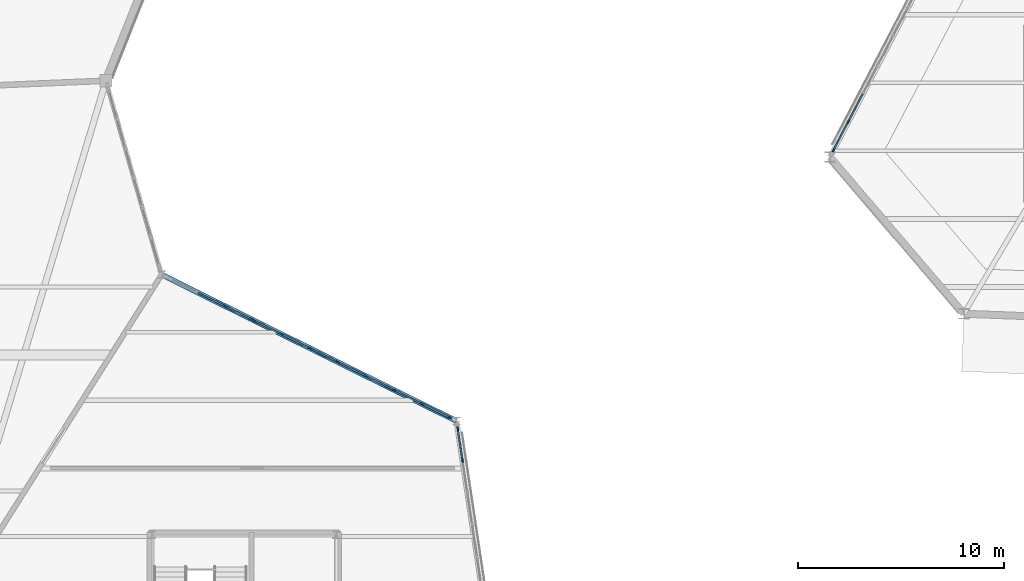
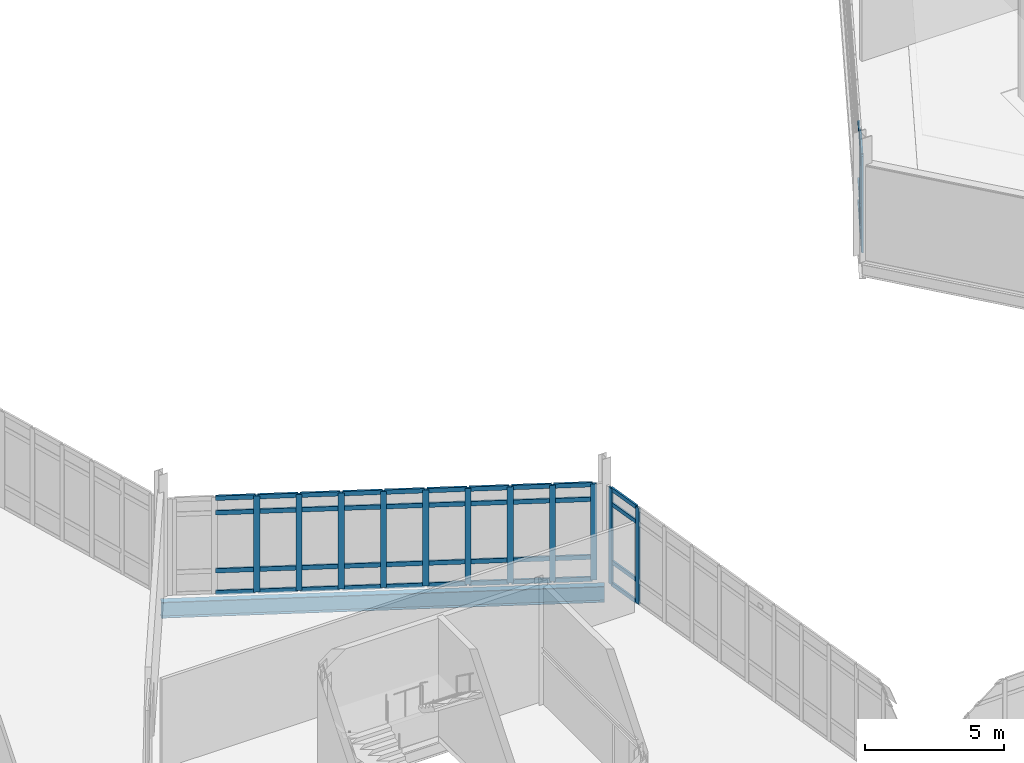
# One storey, part 48 of 113: 60 members, 1 beam, 3 elements without a shape of their own.
"""IFC4 building model written with IfcOpenShell, lengths in metres."""

from ifc_helpers import new_model, si_unit, direction, frame, origin, origin_2d, place, context, subcontext, project, spatial, rectangle, i_section, extrude, material, material_profile, profile_set, type_object, element, aggregate, save


model = new_model("IFC4")

# Units and contexts
model_context = context("Model", 3, precision=1e-05, world=origin(), true_north=direction((0.0, 1.0)))
body_context = subcontext(model_context, "Body", "Model", "MODEL_VIEW")
ifc_project = project(units=[si_unit("LENGTHUNIT", "METRE"), si_unit("AREAUNIT", "SQUARE_METRE"), si_unit("VOLUMEUNIT", "CUBIC_METRE"), si_unit("PLANEANGLEUNIT", "RADIAN"), si_unit("MASSUNIT", "GRAM", prefix="KILO")], contexts=[model_context])

# Site, building, storey
site_placement = place(None, origin())
site = spatial("IfcSite", under=ifc_project, at=site_placement, CompositionType="ELEMENT")
building_placement = place(site_placement, origin())
building = spatial("IfcBuilding", under=site, at=building_placement, Name="Tameran Prism Museum", CompositionType="ELEMENT")
storey_placement = place(building_placement, origin())
storey = spatial("IfcBuildingStorey", under=building, at=storey_placement, Name="L00", CompositionType="ELEMENT", Elevation=0.0)

# Beam
ifc_material_1 = material(Name="Steel Grade 350 (350 MPa)", Category="steel")
ifc_material_profile_1 = material_profile(ifc_material_1, i_section(OverallWidth=0.25, OverallDepth=0.699951171875, WebThickness=0.010009765625, FlangeThickness=0.02001953125, at=origin_2d()))
ifc_profile_set_1 = profile_set([ifc_material_profile_1])
beam_type = type_object("IfcBeamType", Name="BM-SP700", PredefinedType="SPANDREL", material=ifc_profile_set_1)
beam_placement = place(storey_placement, frame((74.800048828125, 66.10009765625, -0.590087890625), z_axis=(-0.89568063561, 0.444697873835, 0.0), x_axis=(-0.444697873835, -0.89568063561, 0.0)))
element("IfcBeam", 1, at=beam_placement, inside=storey, type_object=beam_type, Name="Perimeter Spandrel SP-0035", PredefinedType="SPANDREL", context=body_context, shape_type="SweptSolid", body=[
    extrude(i_section(OverallWidth=0.25, OverallDepth=0.699951171875, WebThickness=0.010009765625, FlangeThickness=0.02001953125, at=origin_2d()), origin(), (0.0, 0.0, 1.0), 15.965576171875),
])

# Curtain wall, members
ifc_material_2 = material(Name="Anodised Aluminium 6063-T6 and Cyclone Solar Glass", Category="aluminium")
curtain_wall_type_1 = type_object("IfcCurtainWallType", Name="CW-FAC-2192x422", PredefinedType="USERDEFINED", material=ifc_material_2)
curtain_wall_1_placement = place(storey_placement, origin())
curtain_wall_1 = element("IfcCurtainWall", 2, at=curtain_wall_1_placement, inside=storey, type_object=curtain_wall_type_1, Name="Unitised Curtain Wall CW-021", ObjectType="UNITISED CURTAIN WALL", PredefinedType="USERDEFINED")
ifc_material_3 = material(Name="Anodised Aluminium Alloy 6063-T6", Category="aluminium")
ifc_material_profile_2 = material_profile(ifc_material_3, rectangle(XDim=0.074951171875, YDim=0.199951171875, at=origin_2d()))
ifc_profile_set_2 = profile_set([ifc_material_profile_2])
member_type_1 = type_object("IfcMemberType", Name="CW-MUL-C", PredefinedType="MULLION", material=ifc_profile_set_2)
member_1_placement = place(storey_placement, frame((93.079345703125, 79.2431640625, 0.0), z_axis=(0.0, 0.0, 1.0), x_axis=(-0.886356952612, 0.463002540551, 0.0)))
member_1 = element("IfcMember", 3, at=member_1_placement, type_object=member_type_1, Name="CW-021 mullion 1", PredefinedType="MULLION", context=body_context, shape_type="SweptSolid", body=[
    extrude(rectangle(XDim=0.074951171875, YDim=0.199951171875, at=origin_2d()), origin(), (0.0, 0.0, 1.0), 4.219970703125),
])
member_2_placement = place(storey_placement, frame((93.786865234375, 80.59765625, 0.0), z_axis=(0.0, 0.0, 1.0), x_axis=(-0.886356952612, 0.463002540551, 0.0)))
member_2 = element("IfcMember", 4, at=member_2_placement, type_object=member_type_1, Name="CW-021 mullion 2", PredefinedType="MULLION", context=body_context, shape_type="SweptSolid", body=[
    extrude(rectangle(XDim=0.074951171875, YDim=0.199951171875, at=origin_2d()), origin(), (0.0, 0.0, 1.0), 4.219970703125),
])

ifc_material_4 = material(Name="Anodised Aluminium 6063-T6 and Cyclone Solar Glass", Category="aluminium")
curtain_wall_type_2 = type_object("IfcCurtainWallType", Name="CW-FAC-1734x422", PredefinedType="USERDEFINED", material=ifc_material_4)
curtain_wall_2_placement = place(storey_placement, origin())
curtain_wall_2 = element("IfcCurtainWall", 5, at=curtain_wall_2_placement, inside=storey, type_object=curtain_wall_type_2, Name="Unitised Curtain Wall CW-033", ObjectType="UNITISED CURTAIN WALL", PredefinedType="USERDEFINED")
member_3_placement = place(storey_placement, frame((74.857666015625, 65.717041015625, 0.0), z_axis=(0.0, 0.0, 1.0), x_axis=(0.988812088052, 0.149166532852, 0.0)))
member_3 = element("IfcMember", 6, at=member_3_placement, type_object=member_type_1, Name="CW-033 mullion 1", PredefinedType="MULLION", context=body_context, shape_type="SweptSolid", body=[
    extrude(rectangle(XDim=0.074951171875, YDim=0.199951171875, at=origin_2d()), origin(), (0.0, 0.0, 1.0), 4.219970703125),
])
member_4_placement = place(storey_placement, frame((75.087158203125, 64.195068359375, 0.0), z_axis=(0.0, 0.0, 1.0), x_axis=(0.988812088052, 0.149166532852, 0.0)))
member_4 = element("IfcMember", 7, at=member_4_placement, type_object=member_type_1, Name="CW-033 mullion 2", PredefinedType="MULLION", context=body_context, shape_type="SweptSolid", body=[
    extrude(rectangle(XDim=0.074951171875, YDim=0.199951171875, at=origin_2d()), origin(), (0.0, 0.0, 1.0), 4.219970703125),
])

ifc_material_5 = material(Name="Anodised Aluminium 6063-T6 and Cyclone Solar Glass", Category="aluminium")
curtain_wall_type_3 = type_object("IfcCurtainWallType", Name="CW-FAC-1520x422", PredefinedType="USERDEFINED", material=ifc_material_5)
curtain_wall_3_placement = place(storey_placement, origin())
curtain_wall_3 = element("IfcCurtainWall", 8, at=curtain_wall_3_placement, inside=storey, type_object=curtain_wall_type_3, Name="Unitised Curtain Wall CW-034", ObjectType="UNITISED CURTAIN WALL", PredefinedType="USERDEFINED")
ifc_material_6 = material(Name="Anodised Aluminium Alloy 6063-T6", Category="aluminium")
ifc_material_profile_3 = material_profile(ifc_material_6, rectangle(XDim=0.080078125, YDim=0.219970703125, at=origin_2d()))
ifc_profile_set_3 = profile_set([ifc_material_profile_3])
member_type_2 = type_object("IfcMemberType", Name="CW-MUL-D", PredefinedType="MULLION", material=ifc_profile_set_3)
member_5_placement = place(storey_placement, frame((63.591064453125, 71.664794921875, 0.0), z_axis=(0.0, 0.0, 1.0), x_axis=(0.444633769593, 0.895712459966, 0.0)))
member_5 = element("IfcMember", 9, at=member_5_placement, type_object=member_type_2, Name="CW-034 mullion 3", PredefinedType="MULLION", context=body_context, shape_type="SweptSolid", body=[
    extrude(rectangle(XDim=0.080078125, YDim=0.219970703125, at=origin_2d()), origin(), (0.0, 0.0, 1.0), 4.219970703125),
])
member_6_placement = place(storey_placement, frame((64.952880859375, 70.98876953125, 0.0), z_axis=(0.0, 0.0, 1.0), x_axis=(0.444633769593, 0.895712459966, 0.0)))
member_6 = element("IfcMember", 10, at=member_6_placement, type_object=member_type_2, Name="CW-034 mullion 4", PredefinedType="MULLION", context=body_context, shape_type="SweptSolid", body=[
    extrude(rectangle(XDim=0.080078125, YDim=0.219970703125, at=origin_2d()), origin(), (0.0, 0.0, 1.0), 4.219970703125),
])
member_7_placement = place(storey_placement, frame((66.31494140625, 70.3125, 0.0), z_axis=(0.0, 0.0, 1.0), x_axis=(0.444633769593, 0.895712459966, 0.0)))
member_7 = element("IfcMember", 11, at=member_7_placement, type_object=member_type_2, Name="CW-034 mullion 5", PredefinedType="MULLION", context=body_context, shape_type="SweptSolid", body=[
    extrude(rectangle(XDim=0.080078125, YDim=0.219970703125, at=origin_2d()), origin(), (0.0, 0.0, 1.0), 4.219970703125),
])
member_8_placement = place(storey_placement, frame((67.677001953125, 69.636474609375, 0.0), z_axis=(0.0, 0.0, 1.0), x_axis=(0.444633769593, 0.895712459966, 0.0)))
member_8 = element("IfcMember", 12, at=member_8_placement, type_object=member_type_2, Name="CW-034 mullion 6", PredefinedType="MULLION", context=body_context, shape_type="SweptSolid", body=[
    extrude(rectangle(XDim=0.080078125, YDim=0.219970703125, at=origin_2d()), origin(), (0.0, 0.0, 1.0), 4.219970703125),
])
member_9_placement = place(storey_placement, frame((69.0390625, 68.96044921875, 0.0), z_axis=(0.0, 0.0, 1.0), x_axis=(0.444633769593, 0.895712459966, 0.0)))
member_9 = element("IfcMember", 13, at=member_9_placement, type_object=member_type_2, Name="CW-034 mullion 7", PredefinedType="MULLION", context=body_context, shape_type="SweptSolid", body=[
    extrude(rectangle(XDim=0.080078125, YDim=0.219970703125, at=origin_2d()), origin(), (0.0, 0.0, 1.0), 4.219970703125),
])
member_10_placement = place(storey_placement, frame((70.40087890625, 68.2841796875, 0.0), z_axis=(0.0, 0.0, 1.0), x_axis=(0.444633769593, 0.895712459966, 0.0)))
member_10 = element("IfcMember", 14, at=member_10_placement, type_object=member_type_2, Name="CW-034 mullion 8", PredefinedType="MULLION", context=body_context, shape_type="SweptSolid", body=[
    extrude(rectangle(XDim=0.080078125, YDim=0.219970703125, at=origin_2d()), origin(), (0.0, 0.0, 1.0), 4.219970703125),
])
member_11_placement = place(storey_placement, frame((71.762939453125, 67.608154296875, 0.0), z_axis=(0.0, 0.0, 1.0), x_axis=(0.444633769593, 0.895712459966, 0.0)))
member_11 = element("IfcMember", 15, at=member_11_placement, type_object=member_type_2, Name="CW-034 mullion 9", PredefinedType="MULLION", context=body_context, shape_type="SweptSolid", body=[
    extrude(rectangle(XDim=0.080078125, YDim=0.219970703125, at=origin_2d()), origin(), (0.0, 0.0, 1.0), 4.219970703125),
])
member_12_placement = place(storey_placement, frame((73.125, 66.93212890625, 0.0), z_axis=(0.0, 0.0, 1.0), x_axis=(0.444633769593, 0.895712459966, 0.0)))
member_12 = element("IfcMember", 16, at=member_12_placement, type_object=member_type_2, Name="CW-034 mullion 10", PredefinedType="MULLION", context=body_context, shape_type="SweptSolid", body=[
    extrude(rectangle(XDim=0.080078125, YDim=0.219970703125, at=origin_2d()), origin(), (0.0, 0.0, 1.0), 4.219970703125),
])
member_13_placement = place(storey_placement, frame((74.451171875, 66.273681640625, 0.0), z_axis=(0.0, 0.0, 1.0), x_axis=(0.444633769593, 0.895712459966, 0.0)))
member_13 = element("IfcMember", 17, at=member_13_placement, type_object=member_type_2, Name="CW-034 mullion 11", PredefinedType="MULLION", context=body_context, shape_type="SweptSolid", body=[
    extrude(rectangle(XDim=0.080078125, YDim=0.219970703125, at=origin_2d()), origin(), (0.0, 0.0, 1.0), 4.219970703125),
])

# Member
ifc_material_7 = material(Name="Anodised Aluminium Alloy 6063-T6", Category="aluminium")
ifc_material_profile_4 = material_profile(ifc_material_7, rectangle(XDim=0.074951171875, YDim=0.175048828125, at=origin_2d()))
ifc_profile_set_4 = profile_set([ifc_material_profile_4])
member_type_3 = type_object("IfcMemberType", Name="CW-TRN-C", PredefinedType="USERDEFINED", material=ifc_profile_set_4)
member_14_placement = place(storey_placement, frame((93.0966796875, 79.2763671875, 0.03759765625), z_axis=(0.463002295965, 0.886357080375, 0.0), x_axis=(-0.886357080375, 0.463002295965, 0.0)))
member_14 = element("IfcMember", 18, at=member_14_placement, type_object=member_type_3, Name="CW-021 transom 1.1", ObjectType="TRANSOM", PredefinedType="USERDEFINED", context=body_context, shape_type="SweptSolid", body=[
    extrude(rectangle(XDim=0.074951171875, YDim=0.175048828125, at=origin_2d()), origin(), (0.0, 0.0, 1.0), 1.453125),
])

member_15_placement = place(storey_placement, frame((93.0966796875, 79.2763671875, 1.0), z_axis=(0.463002295965, 0.886357080375, 0.0), x_axis=(-0.886357080375, 0.463002295965, 0.0)))
member_15 = element("IfcMember", 19, at=member_15_placement, type_object=member_type_3, Name="CW-021 transom 1.2", ObjectType="TRANSOM", PredefinedType="USERDEFINED", context=body_context, shape_type="SweptSolid", body=[
    extrude(rectangle(XDim=0.074951171875, YDim=0.175048828125, at=origin_2d()), origin(), (0.0, 0.0, 1.0), 1.453125),
])

member_16_placement = place(storey_placement, frame((93.0966796875, 79.2763671875, 3.5400390625), z_axis=(0.463002295965, 0.886357080375, 0.0), x_axis=(-0.886357080375, 0.463002295965, 0.0)))
member_16 = element("IfcMember", 20, at=member_16_placement, type_object=member_type_3, Name="CW-021 transom 1.3", ObjectType="TRANSOM", PredefinedType="USERDEFINED", context=body_context, shape_type="SweptSolid", body=[
    extrude(rectangle(XDim=0.074951171875, YDim=0.175048828125, at=origin_2d()), origin(), (0.0, 0.0, 1.0), 1.453125),
])

member_17_placement = place(storey_placement, frame((93.0966796875, 79.2763671875, 4.1826171875), z_axis=(0.463002295965, 0.886357080375, 0.0), x_axis=(-0.886357080375, 0.463002295965, 0.0)))
member_17 = element("IfcMember", 21, at=member_17_placement, type_object=member_type_3, Name="CW-021 transom 1.4", ObjectType="TRANSOM", PredefinedType="USERDEFINED", context=body_context, shape_type="SweptSolid", body=[
    extrude(rectangle(XDim=0.074951171875, YDim=0.175048828125, at=origin_2d()), origin(), (0.0, 0.0, 1.0), 1.453125),
])

member_18_placement = place(storey_placement, frame((93.80419921875, 80.630859375, 0.03759765625), z_axis=(0.462996930736, 0.886359882965, 0.0), x_axis=(-0.886359882965, 0.462996930736, 0.0)))
member_18 = element("IfcMember", 22, at=member_18_placement, type_object=member_type_3, Name="CW-021 transom 2.1", ObjectType="TRANSOM", PredefinedType="USERDEFINED", context=body_context, shape_type="SweptSolid", body=[
    extrude(rectangle(XDim=0.074951171875, YDim=0.175048828125, at=origin_2d()), origin(), (0.0, 0.0, 1.0), 1.49072265625),
])

member_19_placement = place(storey_placement, frame((93.80419921875, 80.630859375, 1.0), z_axis=(0.462996930736, 0.886359882965, 0.0), x_axis=(-0.886359882965, 0.462996930736, 0.0)))
member_19 = element("IfcMember", 23, at=member_19_placement, type_object=member_type_3, Name="CW-021 transom 2.2", ObjectType="TRANSOM", PredefinedType="USERDEFINED", context=body_context, shape_type="SweptSolid", body=[
    extrude(rectangle(XDim=0.074951171875, YDim=0.175048828125, at=origin_2d()), origin(), (0.0, 0.0, 1.0), 1.49072265625),
])

member_20_placement = place(storey_placement, frame((93.80419921875, 80.630859375, 3.5400390625), z_axis=(0.462996930736, 0.886359882965, 0.0), x_axis=(-0.886359882965, 0.462996930736, 0.0)))
member_20 = element("IfcMember", 24, at=member_20_placement, type_object=member_type_3, Name="CW-021 transom 2.3", ObjectType="TRANSOM", PredefinedType="USERDEFINED", context=body_context, shape_type="SweptSolid", body=[
    extrude(rectangle(XDim=0.074951171875, YDim=0.175048828125, at=origin_2d()), origin(), (0.0, 0.0, 1.0), 1.49072265625),
])

aggregate(curtain_wall_1, [member_1, member_2, member_14, member_15, member_16, member_17, member_18, member_19, member_20])

member_21_placement = place(storey_placement, frame((74.86328125, 65.679931640625, 0.03759765625), z_axis=(0.149074274055, -0.988826001284, 0.0), x_axis=(0.988826001284, 0.149074274055, 0.0)))
member_21 = element("IfcMember", 25, at=member_21_placement, type_object=member_type_3, Name="CW-033 transom 1.1", ObjectType="TRANSOM", PredefinedType="USERDEFINED", context=body_context, shape_type="SweptSolid", body=[
    extrude(rectangle(XDim=0.074951171875, YDim=0.175048828125, at=origin_2d()), origin(), (0.0, 0.0, 1.0), 1.464111328125),
])

member_22_placement = place(storey_placement, frame((74.86328125, 65.679931640625, 1.0), z_axis=(0.149074274055, -0.988826001284, 0.0), x_axis=(0.988826001284, 0.149074274055, 0.0)))
member_22 = element("IfcMember", 26, at=member_22_placement, type_object=member_type_3, Name="CW-033 transom 1.2", ObjectType="TRANSOM", PredefinedType="USERDEFINED", context=body_context, shape_type="SweptSolid", body=[
    extrude(rectangle(XDim=0.074951171875, YDim=0.175048828125, at=origin_2d()), origin(), (0.0, 0.0, 1.0), 1.464111328125),
])

member_23_placement = place(storey_placement, frame((74.86328125, 65.679931640625, 3.5400390625), z_axis=(0.149074274055, -0.988826001284, 0.0), x_axis=(0.988826001284, 0.149074274055, 0.0)))
member_23 = element("IfcMember", 27, at=member_23_placement, type_object=member_type_3, Name="CW-033 transom 1.3", ObjectType="TRANSOM", PredefinedType="USERDEFINED", context=body_context, shape_type="SweptSolid", body=[
    extrude(rectangle(XDim=0.074951171875, YDim=0.175048828125, at=origin_2d()), origin(), (0.0, 0.0, 1.0), 1.464111328125),
])

member_24_placement = place(storey_placement, frame((74.86328125, 65.679931640625, 4.1826171875), z_axis=(0.149074274055, -0.988826001284, 0.0), x_axis=(0.988826001284, 0.149074274055, 0.0)))
member_24 = element("IfcMember", 28, at=member_24_placement, type_object=member_type_3, Name="CW-033 transom 1.4", ObjectType="TRANSOM", PredefinedType="USERDEFINED", context=body_context, shape_type="SweptSolid", body=[
    extrude(rectangle(XDim=0.074951171875, YDim=0.175048828125, at=origin_2d()), origin(), (0.0, 0.0, 1.0), 1.464111328125),
])

aggregate(curtain_wall_2, [member_3, member_4, member_21, member_22, member_23, member_24])

ifc_material_8 = material(Name="Anodised Aluminium Alloy 6063-T6", Category="aluminium")
ifc_material_profile_5 = material_profile(ifc_material_8, rectangle(XDim=0.080078125, YDim=0.195068359375, at=origin_2d()))
ifc_profile_set_5 = profile_set([ifc_material_profile_5])
member_type_4 = type_object("IfcMemberType", Name="CW-TRN-D", PredefinedType="USERDEFINED", material=ifc_profile_set_5)
member_25_placement = place(storey_placement, frame((62.264892578125, 72.322998046875, 0.0400390625), z_axis=(0.89574529119, -0.444567625126, 0.0), x_axis=(0.444567625126, 0.89574529119, 0.0)))
member_25 = element("IfcMember", 29, at=member_25_placement, type_object=member_type_4, Name="CW-034 transom 2.1", ObjectType="TRANSOM", PredefinedType="USERDEFINED", context=body_context, shape_type="SweptSolid", body=[
    extrude(rectangle(XDim=0.080078125, YDim=0.195068359375, at=origin_2d()), origin(), (0.0, 0.0, 1.0), 1.4404296875),
])

member_26_placement = place(storey_placement, frame((62.264892578125, 72.322998046875, 1.0), z_axis=(0.89574529119, -0.444567625126, 0.0), x_axis=(0.444567625126, 0.89574529119, 0.0)))
member_26 = element("IfcMember", 30, at=member_26_placement, type_object=member_type_4, Name="CW-034 transom 2.2", ObjectType="TRANSOM", PredefinedType="USERDEFINED", context=body_context, shape_type="SweptSolid", body=[
    extrude(rectangle(XDim=0.080078125, YDim=0.195068359375, at=origin_2d()), origin(), (0.0, 0.0, 1.0), 1.4404296875),
])

member_27_placement = place(storey_placement, frame((62.264892578125, 72.322998046875, 3.5400390625), z_axis=(0.89574529119, -0.444567625126, 0.0), x_axis=(0.444567625126, 0.89574529119, 0.0)))
member_27 = element("IfcMember", 31, at=member_27_placement, type_object=member_type_4, Name="CW-034 transom 2.3", ObjectType="TRANSOM", PredefinedType="USERDEFINED", context=body_context, shape_type="SweptSolid", body=[
    extrude(rectangle(XDim=0.080078125, YDim=0.195068359375, at=origin_2d()), origin(), (0.0, 0.0, 1.0), 1.4404296875),
])

member_28_placement = place(storey_placement, frame((62.264892578125, 72.322998046875, 4.179931640625), z_axis=(0.89574529119, -0.444567625126, 0.0), x_axis=(0.444567625126, 0.89574529119, 0.0)))
member_28 = element("IfcMember", 32, at=member_28_placement, type_object=member_type_4, Name="CW-034 transom 2.4", ObjectType="TRANSOM", PredefinedType="USERDEFINED", context=body_context, shape_type="SweptSolid", body=[
    extrude(rectangle(XDim=0.080078125, YDim=0.195068359375, at=origin_2d()), origin(), (0.0, 0.0, 1.0), 1.4404296875),
])

member_29_placement = place(storey_placement, frame((63.626708984375, 71.64697265625, 0.0400390625), z_axis=(0.89577878128, -0.444500140616, 0.0), x_axis=(0.444500140616, 0.89577878128, 0.0)))
member_29 = element("IfcMember", 33, at=member_29_placement, type_object=member_type_4, Name="CW-034 transom 3.1", ObjectType="TRANSOM", PredefinedType="USERDEFINED", context=body_context, shape_type="SweptSolid", body=[
    extrude(rectangle(XDim=0.080078125, YDim=0.195068359375, at=origin_2d()), origin(), (0.0, 0.0, 1.0), 1.440673828125),
])

member_30_placement = place(storey_placement, frame((63.626708984375, 71.64697265625, 1.0), z_axis=(0.89577878128, -0.444500140616, 0.0), x_axis=(0.444500140616, 0.89577878128, 0.0)))
member_30 = element("IfcMember", 34, at=member_30_placement, type_object=member_type_4, Name="CW-034 transom 3.2", ObjectType="TRANSOM", PredefinedType="USERDEFINED", context=body_context, shape_type="SweptSolid", body=[
    extrude(rectangle(XDim=0.080078125, YDim=0.195068359375, at=origin_2d()), origin(), (0.0, 0.0, 1.0), 1.440673828125),
])

member_31_placement = place(storey_placement, frame((63.626708984375, 71.64697265625, 3.5400390625), z_axis=(0.89577878128, -0.444500140616, 0.0), x_axis=(0.444500140616, 0.89577878128, 0.0)))
member_31 = element("IfcMember", 35, at=member_31_placement, type_object=member_type_4, Name="CW-034 transom 3.3", ObjectType="TRANSOM", PredefinedType="USERDEFINED", context=body_context, shape_type="SweptSolid", body=[
    extrude(rectangle(XDim=0.080078125, YDim=0.195068359375, at=origin_2d()), origin(), (0.0, 0.0, 1.0), 1.440673828125),
])

member_32_placement = place(storey_placement, frame((63.626708984375, 71.64697265625, 4.179931640625), z_axis=(0.89577878128, -0.444500140616, 0.0), x_axis=(0.444500140616, 0.89577878128, 0.0)))
member_32 = element("IfcMember", 36, at=member_32_placement, type_object=member_type_4, Name="CW-034 transom 3.4", ObjectType="TRANSOM", PredefinedType="USERDEFINED", context=body_context, shape_type="SweptSolid", body=[
    extrude(rectangle(XDim=0.080078125, YDim=0.195068359375, at=origin_2d()), origin(), (0.0, 0.0, 1.0), 1.440673828125),
])

member_33_placement = place(storey_placement, frame((64.98876953125, 70.970947265625, 0.0400390625), z_axis=(0.895677792461, -0.444703600268, 0.0), x_axis=(0.444703600268, 0.895677792461, 0.0)))
member_33 = element("IfcMember", 37, at=member_33_placement, type_object=member_type_4, Name="CW-034 transom 4.1", ObjectType="TRANSOM", PredefinedType="USERDEFINED", context=body_context, shape_type="SweptSolid", body=[
    extrude(rectangle(XDim=0.080078125, YDim=0.195068359375, at=origin_2d()), origin(), (0.0, 0.0, 1.0), 1.440673828125),
])

member_34_placement = place(storey_placement, frame((64.98876953125, 70.970947265625, 1.0), z_axis=(0.895677792461, -0.444703600268, 0.0), x_axis=(0.444703600268, 0.895677792461, 0.0)))
member_34 = element("IfcMember", 38, at=member_34_placement, type_object=member_type_4, Name="CW-034 transom 4.2", ObjectType="TRANSOM", PredefinedType="USERDEFINED", context=body_context, shape_type="SweptSolid", body=[
    extrude(rectangle(XDim=0.080078125, YDim=0.195068359375, at=origin_2d()), origin(), (0.0, 0.0, 1.0), 1.440673828125),
])

member_35_placement = place(storey_placement, frame((64.98876953125, 70.970947265625, 3.5400390625), z_axis=(0.895677792461, -0.444703600268, 0.0), x_axis=(0.444703600268, 0.895677792461, 0.0)))
member_35 = element("IfcMember", 39, at=member_35_placement, type_object=member_type_4, Name="CW-034 transom 4.3", ObjectType="TRANSOM", PredefinedType="USERDEFINED", context=body_context, shape_type="SweptSolid", body=[
    extrude(rectangle(XDim=0.080078125, YDim=0.195068359375, at=origin_2d()), origin(), (0.0, 0.0, 1.0), 1.440673828125),
])

member_36_placement = place(storey_placement, frame((64.98876953125, 70.970947265625, 4.179931640625), z_axis=(0.895677792461, -0.444703600268, 0.0), x_axis=(0.444703600268, 0.895677792461, 0.0)))
member_36 = element("IfcMember", 40, at=member_36_placement, type_object=member_type_4, Name="CW-034 transom 4.4", ObjectType="TRANSOM", PredefinedType="USERDEFINED", context=body_context, shape_type="SweptSolid", body=[
    extrude(rectangle(XDim=0.080078125, YDim=0.195068359375, at=origin_2d()), origin(), (0.0, 0.0, 1.0), 1.440673828125),
])

member_37_placement = place(storey_placement, frame((66.350830078125, 70.294921875, 0.0400390625), z_axis=(0.895677792461, -0.444703600268, 0.0), x_axis=(0.444703600268, 0.895677792461, 0.0)))
member_37 = element("IfcMember", 41, at=member_37_placement, type_object=member_type_4, Name="CW-034 transom 5.1", ObjectType="TRANSOM", PredefinedType="USERDEFINED", context=body_context, shape_type="SweptSolid", body=[
    extrude(rectangle(XDim=0.080078125, YDim=0.195068359375, at=origin_2d()), origin(), (0.0, 0.0, 1.0), 1.440673828125),
])

member_38_placement = place(storey_placement, frame((66.350830078125, 70.294921875, 1.0), z_axis=(0.895677792461, -0.444703600268, 0.0), x_axis=(0.444703600268, 0.895677792461, 0.0)))
member_38 = element("IfcMember", 42, at=member_38_placement, type_object=member_type_4, Name="CW-034 transom 5.2", ObjectType="TRANSOM", PredefinedType="USERDEFINED", context=body_context, shape_type="SweptSolid", body=[
    extrude(rectangle(XDim=0.080078125, YDim=0.195068359375, at=origin_2d()), origin(), (0.0, 0.0, 1.0), 1.440673828125),
])

member_39_placement = place(storey_placement, frame((66.350830078125, 70.294921875, 3.5400390625), z_axis=(0.895677792461, -0.444703600268, 0.0), x_axis=(0.444703600268, 0.895677792461, 0.0)))
member_39 = element("IfcMember", 43, at=member_39_placement, type_object=member_type_4, Name="CW-034 transom 5.3", ObjectType="TRANSOM", PredefinedType="USERDEFINED", context=body_context, shape_type="SweptSolid", body=[
    extrude(rectangle(XDim=0.080078125, YDim=0.195068359375, at=origin_2d()), origin(), (0.0, 0.0, 1.0), 1.440673828125),
])

member_40_placement = place(storey_placement, frame((66.350830078125, 70.294921875, 4.179931640625), z_axis=(0.895677792461, -0.444703600268, 0.0), x_axis=(0.444703600268, 0.895677792461, 0.0)))
member_40 = element("IfcMember", 44, at=member_40_placement, type_object=member_type_4, Name="CW-034 transom 5.4", ObjectType="TRANSOM", PredefinedType="USERDEFINED", context=body_context, shape_type="SweptSolid", body=[
    extrude(rectangle(XDim=0.080078125, YDim=0.195068359375, at=origin_2d()), origin(), (0.0, 0.0, 1.0), 1.440673828125),
])

member_41_placement = place(storey_placement, frame((67.712890625, 69.61865234375, 0.0400390625), z_axis=(0.89574529119, -0.444567625126, 0.0), x_axis=(0.444567625126, 0.89574529119, 0.0)))
member_41 = element("IfcMember", 45, at=member_41_placement, type_object=member_type_4, Name="CW-034 transom 6.1", ObjectType="TRANSOM", PredefinedType="USERDEFINED", context=body_context, shape_type="SweptSolid", body=[
    extrude(rectangle(XDim=0.080078125, YDim=0.195068359375, at=origin_2d()), origin(), (0.0, 0.0, 1.0), 1.4404296875),
])

member_42_placement = place(storey_placement, frame((67.712890625, 69.61865234375, 1.0), z_axis=(0.89574529119, -0.444567625126, 0.0), x_axis=(0.444567625126, 0.89574529119, 0.0)))
member_42 = element("IfcMember", 46, at=member_42_placement, type_object=member_type_4, Name="CW-034 transom 6.2", ObjectType="TRANSOM", PredefinedType="USERDEFINED", context=body_context, shape_type="SweptSolid", body=[
    extrude(rectangle(XDim=0.080078125, YDim=0.195068359375, at=origin_2d()), origin(), (0.0, 0.0, 1.0), 1.4404296875),
])

member_43_placement = place(storey_placement, frame((67.712890625, 69.61865234375, 3.5400390625), z_axis=(0.89574529119, -0.444567625126, 0.0), x_axis=(0.444567625126, 0.89574529119, 0.0)))
member_43 = element("IfcMember", 47, at=member_43_placement, type_object=member_type_4, Name="CW-034 transom 6.3", ObjectType="TRANSOM", PredefinedType="USERDEFINED", context=body_context, shape_type="SweptSolid", body=[
    extrude(rectangle(XDim=0.080078125, YDim=0.195068359375, at=origin_2d()), origin(), (0.0, 0.0, 1.0), 1.4404296875),
])

member_44_placement = place(storey_placement, frame((67.712890625, 69.61865234375, 4.179931640625), z_axis=(0.89574529119, -0.444567625126, 0.0), x_axis=(0.444567625126, 0.89574529119, 0.0)))
member_44 = element("IfcMember", 48, at=member_44_placement, type_object=member_type_4, Name="CW-034 transom 6.4", ObjectType="TRANSOM", PredefinedType="USERDEFINED", context=body_context, shape_type="SweptSolid", body=[
    extrude(rectangle(XDim=0.080078125, YDim=0.195068359375, at=origin_2d()), origin(), (0.0, 0.0, 1.0), 1.4404296875),
])

member_45_placement = place(storey_placement, frame((69.07470703125, 68.942626953125, 0.0400390625), z_axis=(0.895711300517, -0.444636105289, 0.0), x_axis=(0.444636105289, 0.895711300517, 0.0)))
member_45 = element("IfcMember", 49, at=member_45_placement, type_object=member_type_4, Name="CW-034 transom 7.1", ObjectType="TRANSOM", PredefinedType="USERDEFINED", context=body_context, shape_type="SweptSolid", body=[
    extrude(rectangle(XDim=0.080078125, YDim=0.195068359375, at=origin_2d()), origin(), (0.0, 0.0, 1.0), 1.440673828125),
])

member_46_placement = place(storey_placement, frame((69.07470703125, 68.942626953125, 1.0), z_axis=(0.895711300517, -0.444636105289, 0.0), x_axis=(0.444636105289, 0.895711300517, 0.0)))
member_46 = element("IfcMember", 50, at=member_46_placement, type_object=member_type_4, Name="CW-034 transom 7.2", ObjectType="TRANSOM", PredefinedType="USERDEFINED", context=body_context, shape_type="SweptSolid", body=[
    extrude(rectangle(XDim=0.080078125, YDim=0.195068359375, at=origin_2d()), origin(), (0.0, 0.0, 1.0), 1.440673828125),
])

member_47_placement = place(storey_placement, frame((69.07470703125, 68.942626953125, 3.5400390625), z_axis=(0.895711300517, -0.444636105289, 0.0), x_axis=(0.444636105289, 0.895711300517, 0.0)))
member_47 = element("IfcMember", 51, at=member_47_placement, type_object=member_type_4, Name="CW-034 transom 7.3", ObjectType="TRANSOM", PredefinedType="USERDEFINED", context=body_context, shape_type="SweptSolid", body=[
    extrude(rectangle(XDim=0.080078125, YDim=0.195068359375, at=origin_2d()), origin(), (0.0, 0.0, 1.0), 1.440673828125),
])

member_48_placement = place(storey_placement, frame((69.07470703125, 68.942626953125, 4.179931640625), z_axis=(0.895711300517, -0.444636105289, 0.0), x_axis=(0.444636105289, 0.895711300517, 0.0)))
member_48 = element("IfcMember", 52, at=member_48_placement, type_object=member_type_4, Name="CW-034 transom 7.4", ObjectType="TRANSOM", PredefinedType="USERDEFINED", context=body_context, shape_type="SweptSolid", body=[
    extrude(rectangle(XDim=0.080078125, YDim=0.195068359375, at=origin_2d()), origin(), (0.0, 0.0, 1.0), 1.440673828125),
])

member_49_placement = place(storey_placement, frame((70.436767578125, 68.2666015625, 0.0400390625), z_axis=(0.895677792461, -0.444703600268, 0.0), x_axis=(0.444703600268, 0.895677792461, 0.0)))
member_49 = element("IfcMember", 53, at=member_49_placement, type_object=member_type_4, Name="CW-034 transom 8.1", ObjectType="TRANSOM", PredefinedType="USERDEFINED", context=body_context, shape_type="SweptSolid", body=[
    extrude(rectangle(XDim=0.080078125, YDim=0.195068359375, at=origin_2d()), origin(), (0.0, 0.0, 1.0), 1.440673828125),
])

member_50_placement = place(storey_placement, frame((70.436767578125, 68.2666015625, 1.0), z_axis=(0.895677792461, -0.444703600268, 0.0), x_axis=(0.444703600268, 0.895677792461, 0.0)))
member_50 = element("IfcMember", 54, at=member_50_placement, type_object=member_type_4, Name="CW-034 transom 8.2", ObjectType="TRANSOM", PredefinedType="USERDEFINED", context=body_context, shape_type="SweptSolid", body=[
    extrude(rectangle(XDim=0.080078125, YDim=0.195068359375, at=origin_2d()), origin(), (0.0, 0.0, 1.0), 1.440673828125),
])

member_51_placement = place(storey_placement, frame((70.436767578125, 68.2666015625, 3.5400390625), z_axis=(0.895677792461, -0.444703600268, 0.0), x_axis=(0.444703600268, 0.895677792461, 0.0)))
member_51 = element("IfcMember", 55, at=member_51_placement, type_object=member_type_4, Name="CW-034 transom 8.3", ObjectType="TRANSOM", PredefinedType="USERDEFINED", context=body_context, shape_type="SweptSolid", body=[
    extrude(rectangle(XDim=0.080078125, YDim=0.195068359375, at=origin_2d()), origin(), (0.0, 0.0, 1.0), 1.440673828125),
])

member_52_placement = place(storey_placement, frame((70.436767578125, 68.2666015625, 4.179931640625), z_axis=(0.895677792461, -0.444703600268, 0.0), x_axis=(0.444703600268, 0.895677792461, 0.0)))
member_52 = element("IfcMember", 56, at=member_52_placement, type_object=member_type_4, Name="CW-034 transom 8.4", ObjectType="TRANSOM", PredefinedType="USERDEFINED", context=body_context, shape_type="SweptSolid", body=[
    extrude(rectangle(XDim=0.080078125, YDim=0.195068359375, at=origin_2d()), origin(), (0.0, 0.0, 1.0), 1.440673828125),
])

member_53_placement = place(storey_placement, frame((71.798828125, 67.59033203125, 0.0400390625), z_axis=(0.89574529119, -0.444567625126, 0.0), x_axis=(0.444567625126, 0.89574529119, 0.0)))
member_53 = element("IfcMember", 57, at=member_53_placement, type_object=member_type_4, Name="CW-034 transom 9.1", ObjectType="TRANSOM", PredefinedType="USERDEFINED", context=body_context, shape_type="SweptSolid", body=[
    extrude(rectangle(XDim=0.080078125, YDim=0.195068359375, at=origin_2d()), origin(), (0.0, 0.0, 1.0), 1.4404296875),
])

member_54_placement = place(storey_placement, frame((71.798828125, 67.59033203125, 1.0), z_axis=(0.89574529119, -0.444567625126, 0.0), x_axis=(0.444567625126, 0.89574529119, 0.0)))
member_54 = element("IfcMember", 58, at=member_54_placement, type_object=member_type_4, Name="CW-034 transom 9.2", ObjectType="TRANSOM", PredefinedType="USERDEFINED", context=body_context, shape_type="SweptSolid", body=[
    extrude(rectangle(XDim=0.080078125, YDim=0.195068359375, at=origin_2d()), origin(), (0.0, 0.0, 1.0), 1.4404296875),
])

member_55_placement = place(storey_placement, frame((71.798828125, 67.59033203125, 3.5400390625), z_axis=(0.89574529119, -0.444567625126, 0.0), x_axis=(0.444567625126, 0.89574529119, 0.0)))
member_55 = element("IfcMember", 59, at=member_55_placement, type_object=member_type_4, Name="CW-034 transom 9.3", ObjectType="TRANSOM", PredefinedType="USERDEFINED", context=body_context, shape_type="SweptSolid", body=[
    extrude(rectangle(XDim=0.080078125, YDim=0.195068359375, at=origin_2d()), origin(), (0.0, 0.0, 1.0), 1.4404296875),
])

member_56_placement = place(storey_placement, frame((71.798828125, 67.59033203125, 4.179931640625), z_axis=(0.89574529119, -0.444567625126, 0.0), x_axis=(0.444567625126, 0.89574529119, 0.0)))
member_56 = element("IfcMember", 60, at=member_56_placement, type_object=member_type_4, Name="CW-034 transom 9.4", ObjectType="TRANSOM", PredefinedType="USERDEFINED", context=body_context, shape_type="SweptSolid", body=[
    extrude(rectangle(XDim=0.080078125, YDim=0.195068359375, at=origin_2d()), origin(), (0.0, 0.0, 1.0), 1.4404296875),
])

member_57_placement = place(storey_placement, frame((73.160888671875, 66.914306640625, 0.0400390625), z_axis=(0.8956788041, -0.444701562721, 0.0), x_axis=(0.444701562721, 0.8956788041, 0.0)))
member_57 = element("IfcMember", 61, at=member_57_placement, type_object=member_type_4, Name="CW-034 transom 10.1", ObjectType="TRANSOM", PredefinedType="USERDEFINED", context=body_context, shape_type="SweptSolid", body=[
    extrude(rectangle(XDim=0.080078125, YDim=0.195068359375, at=origin_2d()), origin(), (0.0, 0.0, 1.0), 1.400390625),
])

member_58_placement = place(storey_placement, frame((73.160888671875, 66.914306640625, 1.0), z_axis=(0.8956788041, -0.444701562721, 0.0), x_axis=(0.444701562721, 0.8956788041, 0.0)))
member_58 = element("IfcMember", 62, at=member_58_placement, type_object=member_type_4, Name="CW-034 transom 10.2", ObjectType="TRANSOM", PredefinedType="USERDEFINED", context=body_context, shape_type="SweptSolid", body=[
    extrude(rectangle(XDim=0.080078125, YDim=0.195068359375, at=origin_2d()), origin(), (0.0, 0.0, 1.0), 1.400390625),
])

member_59_placement = place(storey_placement, frame((73.160888671875, 66.914306640625, 3.5400390625), z_axis=(0.8956788041, -0.444701562721, 0.0), x_axis=(0.444701562721, 0.8956788041, 0.0)))
member_59 = element("IfcMember", 63, at=member_59_placement, type_object=member_type_4, Name="CW-034 transom 10.3", ObjectType="TRANSOM", PredefinedType="USERDEFINED", context=body_context, shape_type="SweptSolid", body=[
    extrude(rectangle(XDim=0.080078125, YDim=0.195068359375, at=origin_2d()), origin(), (0.0, 0.0, 1.0), 1.400390625),
])

member_60_placement = place(storey_placement, frame((73.160888671875, 66.914306640625, 4.179931640625), z_axis=(0.8956788041, -0.444701562721, 0.0), x_axis=(0.444701562721, 0.8956788041, 0.0)))
member_60 = element("IfcMember", 64, at=member_60_placement, type_object=member_type_4, Name="CW-034 transom 10.4", ObjectType="TRANSOM", PredefinedType="USERDEFINED", context=body_context, shape_type="SweptSolid", body=[
    extrude(rectangle(XDim=0.080078125, YDim=0.195068359375, at=origin_2d()), origin(), (0.0, 0.0, 1.0), 1.400390625),
])

aggregate(curtain_wall_3, [member_5, member_6, member_7, member_8, member_9, member_10, member_11, member_12, member_13, member_25, member_26, member_27, member_28, member_29, member_30, member_31, member_32, member_33, member_34, member_35, member_36, member_37, member_38, member_39, member_40, member_41, member_42, member_43, member_44, member_45, member_46, member_47, member_48, member_49, member_50, member_51, member_52, member_53, member_54, member_55, member_56, member_57, member_58, member_59, member_60])

save(model, "model.ifc")
